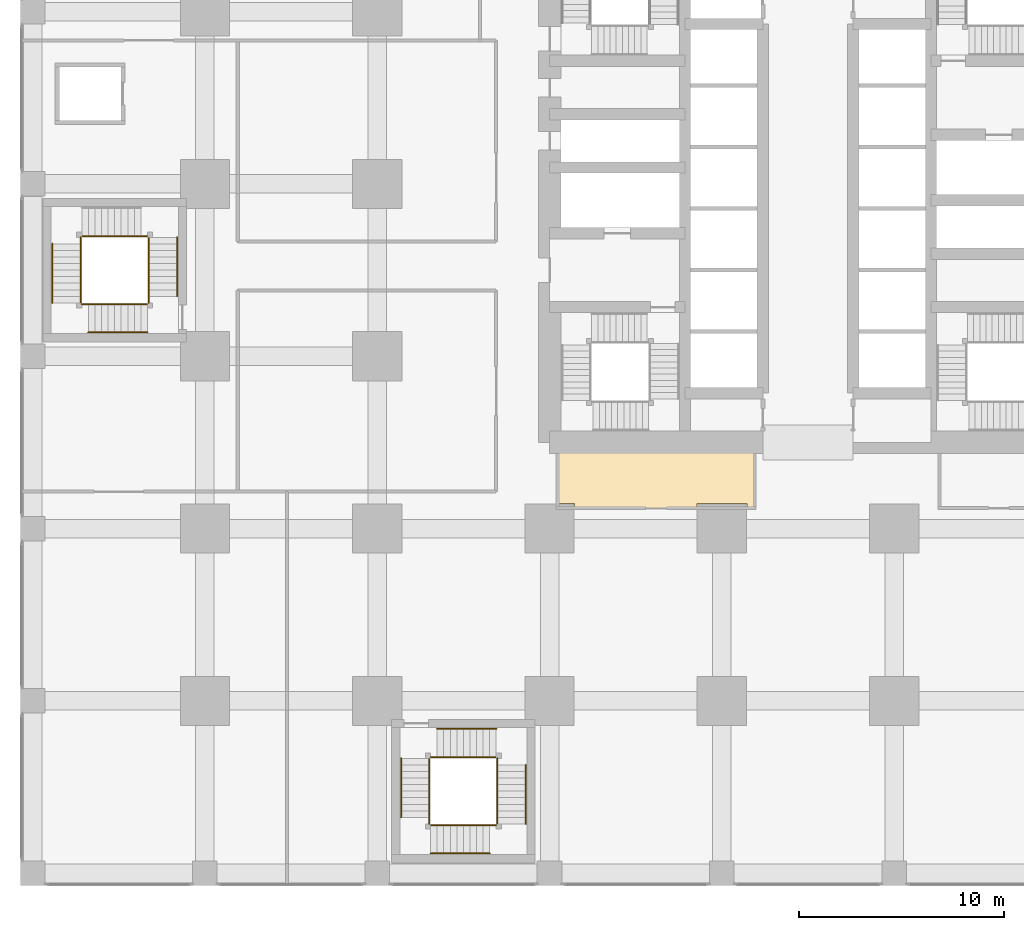
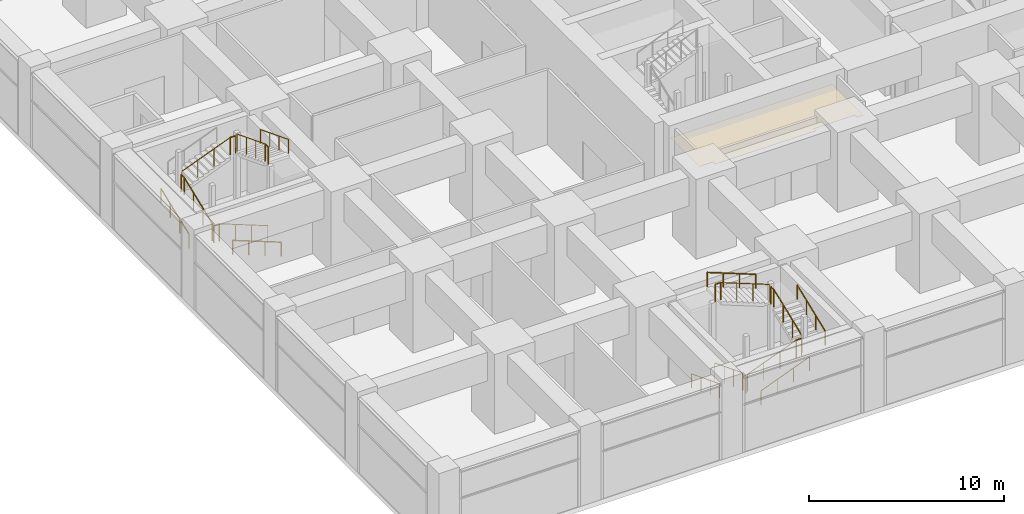
# One storey, part 41 of 49: 23 railings, 1 covering.
"""IFC4 building model written with IfcOpenShell, lengths in metres."""

import ifcopenshell
import ifcopenshell.guid

model = None  # the IFC model being written
_history = None  # IfcOwnerHistory: only IFC2X3 demands one
_inside = {}  # id of a spatial element -> (the spatial element, [elements in it])
_under = {}  # id of a project, library or spatial element -> (it, [spatial elements below it])
_declared = {}  # id of a project -> (the project, [libraries it declares])
_typed = {}  # id of a type object -> (the type object, [elements of that type])
_made_of = {}  # id of a material, layer set ... -> (it, [elements and type objects made of it])


def new_model(schema):
    """Start an empty IFC model of exactly this schema.

    Asked for "IFC4X3", IfcOpenShell would pick the latest addendum, in which some entities
    have other attributes; the version numbers below select the first issue.
    IFC2X3 requires an IfcOwnerHistory on every rooted entity: one is made here for all.
    """
    global model, _history
    if schema == "IFC4X3":
        model = ifcopenshell.file(schema_version=(4, 3, 0, 0))
    else:
        model = ifcopenshell.file(schema=schema)
    _inside.clear()
    _under.clear()
    _declared.clear()
    _typed.clear()
    _made_of.clear()
    _history = None
    if model.schema == "IFC2X3":
        org = make("IfcOrganization", Name="unknown")
        user = make(
            "IfcPersonAndOrganization",
            ThePerson=make("IfcPerson", FamilyName="unknown"),
            TheOrganization=org,
        )
        app = make(
            "IfcApplication",
            ApplicationDeveloper=org,
            Version="unknown",
            ApplicationFullName="unknown",
            ApplicationIdentifier="unknown",
        )
        _history = make(
            "IfcOwnerHistory",
            OwningUser=user,
            OwningApplication=app,
            ChangeAction="ADDED",
            CreationDate=0,
        )
    return model


def make(cls, **values):
    """One entity of the class cls with the attributes given. An attribute that is None is left unset."""
    return model.create_entity(
        cls, **{name: value for name, value in values.items() if value is not None}
    )


def rooted(cls, **values):
    """An entity with a GlobalId (a new one), such as an element, a storey or a relation."""
    return make(cls, GlobalId=ifcopenshell.guid.new(), OwnerHistory=_history, **values)


def si_unit(unit_type, name, prefix=None):
    """IfcSIUnit, for example si_unit("LENGTHUNIT", "METRE", prefix="MILLI")."""
    return make("IfcSIUnit", UnitType=unit_type, Prefix=prefix, Name=name)


def assignment(units):
    """IfcUnitAssignment: the units of a project."""
    return None if units is None else make("IfcUnitAssignment", Units=units)


def point(xyz):
    """IfcCartesianPoint."""
    return None if xyz is None else make("IfcCartesianPoint", Coordinates=xyz)


def direction(xyz):
    """IfcDirection."""
    return None if xyz is None else make("IfcDirection", DirectionRatios=xyz)


def frame(location, z_axis=None, x_axis=None):
    """IfcAxis2Placement3D, a coordinate frame: its origin and axes. An axis left out is left unset."""
    return make(
        "IfcAxis2Placement3D",
        Location=point(location),
        Axis=direction(z_axis),
        RefDirection=direction(x_axis),
    )


def frame_2d(location, x_axis=None):
    """IfcAxis2Placement2D, a coordinate frame in the plane: its origin and x axis."""
    return make(
        "IfcAxis2Placement2D", Location=point(location), RefDirection=direction(x_axis)
    )


def origin():
    """The frame at (0, 0, 0) with its axes left unset."""
    return frame((0.0, 0.0, 0.0))


def origin_2d():
    """The frame at (0, 0) in the plane with its x axis left unset."""
    return frame_2d((0.0, 0.0))


def place(relative_to, where):
    """IfcLocalPlacement: puts the frame where relative to a parent placement (None: the world)."""
    return make(
        "IfcLocalPlacement", PlacementRelTo=relative_to, RelativePlacement=where
    )


def context(
    kind, dimensions, precision=None, world=None, true_north=None, identifier=None
):
    """IfcGeometricRepresentationContext, for example the 3D "Model" context."""
    return make(
        "IfcGeometricRepresentationContext",
        ContextIdentifier=identifier,
        ContextType=kind,
        CoordinateSpaceDimension=dimensions,
        Precision=precision,
        WorldCoordinateSystem=world,
        TrueNorth=true_north,
    )


def subcontext(parent, identifier, kind, view, scale=None):
    """IfcGeometricRepresentationSubContext, for example "Body" below "Model"."""
    return make(
        "IfcGeometricRepresentationSubContext",
        ContextIdentifier=identifier,
        ContextType=kind,
        ParentContext=parent,
        TargetScale=scale,
        TargetView=view,
    )


def project(units=None, contexts=None):
    """IfcProject with its units and contexts."""
    return rooted(
        "IfcProject",
        Name="project",
        RepresentationContexts=contexts,
        UnitsInContext=assignment(units),
    )


def spatial(cls, under=None, at=None, **own):
    """A site, building, storey or space (cls), placed at a placement, below another one or the project."""
    s = rooted(cls, ObjectPlacement=at, **own)
    if under is not None:
        _under.setdefault(under.id(), (under, []))[1].append(s)
    return s


def polyline(points):
    """IfcPolyline through the points."""
    return make("IfcPolyline", Points=[point(p) for p in points])


def profile(cls, at=None, kind="AREA", **sizes):
    """A parametric profile (cls). Its sizes go by their IFC names, for example OverallWidth=200.0."""
    return make(cls, ProfileType=kind, Position=at, **sizes)


def circle(**sizes):
    """IfcCircleProfileDef."""
    return profile("IfcCircleProfileDef", **sizes)


def outline(outer, holes=None, kind="AREA"):
    """IfcArbitraryClosedProfileDef: a profile drawn as a closed curve; with holes, ...WithVoids."""
    if holes is None:
        return make("IfcArbitraryClosedProfileDef", ProfileType=kind, OuterCurve=outer)
    return make(
        "IfcArbitraryProfileDefWithVoids",
        ProfileType=kind,
        OuterCurve=outer,
        InnerCurves=holes,
    )


def extrude(swept, where, along, depth):
    """IfcExtrudedAreaSolid: the profile swept, set in the frame where, extruded along a direction by depth."""
    return make(
        "IfcExtrudedAreaSolid",
        SweptArea=swept,
        Position=where,
        ExtrudedDirection=direction(along),
        Depth=depth,
    )


def shape(context_of_items, identifier, shape_type, items):
    """IfcShapeRepresentation: the items that make up one representation, for example the "Body"."""
    return make(
        "IfcShapeRepresentation",
        ContextOfItems=context_of_items,
        RepresentationIdentifier=identifier,
        RepresentationType=shape_type,
        Items=items,
    )


def material(Name=None, Category=None):
    """IfcMaterial."""
    return make("IfcMaterial", Name=Name, Category=Category)


def layer(
    of_material, thickness, ventilated=None, Name=None, Category=None, Priority=None
):
    """IfcMaterialLayer: one layer of a wall or slab, of a material (None: an air gap)."""
    return make(
        "IfcMaterialLayer",
        Material=of_material,
        LayerThickness=thickness,
        IsVentilated=ventilated,
        Name=Name,
        Category=Category,
        Priority=Priority,
    )


def layer_set(layers, Name=None):
    """IfcMaterialLayerSet."""
    return make("IfcMaterialLayerSet", MaterialLayers=layers, LayerSetName=Name)


def made_of(thing, what):
    """Note that an element or type object is made of a material, layer set ...; save() writes the relation."""
    if what is not None:
        _made_of.setdefault(what.id(), (what, []))[1].append(thing)
    return thing


def type_object(cls, material=None, **own):
    """A type object (cls), such as IfcWallType, which elements share."""
    return made_of(rooted(cls, **own), material)


def element(
    cls,
    number,
    at=None,
    inside=None,
    cuts=None,
    type_object=None,
    material=None,
    context=None,
    identifier="Body",
    shape_type=None,
    held_by="IfcProductDefinitionShape",
    body=None,
    shapes=None,
    **own,
):
    """One element of the class cls, such as IfcWall. Its Tag is "e" and its number.

    at: its placement. inside: the storey or other place that contains it. cuts: it is an
    opening in that element (IfcRelVoidsElement). A single representation is given by context,
    identifier, shape_type and body (its items); several are given by shapes. held_by: the class
    of the entity that holds the representations. save() writes the other relations.
    """
    e = rooted(cls, Tag="e%d" % number, ObjectPlacement=at, **own)
    if body is not None:
        shapes = [shape(context, identifier, shape_type, body)]
    if shapes is not None:
        e.Representation = make(held_by, Representations=shapes)
    if inside is not None:
        _inside.setdefault(inside.id(), (inside, []))[1].append(e)
    if cuts is not None:
        rooted(
            "IfcRelVoidsElement", RelatingBuildingElement=cuts, RelatedOpeningElement=e
        )
    if type_object is not None:
        _typed.setdefault(type_object.id(), (type_object, []))[1].append(e)
    return made_of(e, material)


def aggregate(whole, parts):
    """IfcRelAggregates: a whole, such as a stair, and the parts it consists of."""
    return rooted("IfcRelAggregates", RelatingObject=whole, RelatedObjects=parts)


def save(model, path):
    """Write the relations noted so far, then the file.

    IfcRelAggregates (storeys below a building ...), IfcRelContainedInSpatialStructure (elements
    in a storey), IfcRelDefinesByType, IfcRelAssociatesMaterial and IfcRelDeclares: one each for
    every whole, place, type object, material and project.
    """
    for whole, parts in _under.values():
        aggregate(whole, parts)
    for where, things in _inside.values():
        rooted(
            "IfcRelContainedInSpatialStructure",
            RelatedElements=things,
            RelatingStructure=where,
        )
    for kind, things in _typed.values():
        rooted("IfcRelDefinesByType", RelatedObjects=things, RelatingType=kind)
    for what, things in _made_of.values():
        rooted("IfcRelAssociatesMaterial", RelatedObjects=things, RelatingMaterial=what)
    for by, libraries in _declared.values():
        rooted("IfcRelDeclares", RelatingContext=by, RelatedDefinitions=libraries)
    model.write(path)


model = new_model("IFC4")

# Units and contexts
model_context = context("Model", 3, precision=1e-05, world=origin(), true_north=direction((0.0, 1.0)))
body_context = subcontext(model_context, "Body", "Model", "MODEL_VIEW")
ifc_project = project(units=[si_unit("LENGTHUNIT", "METRE"), si_unit("AREAUNIT", "SQUARE_METRE"), si_unit("VOLUMEUNIT", "CUBIC_METRE"), si_unit("PLANEANGLEUNIT", "RADIAN"), si_unit("MASSUNIT", "GRAM", prefix="KILO")], contexts=[model_context])

# Site, building, storey
site_placement = place(None, origin())
site = spatial("IfcSite", under=ifc_project, at=site_placement, CompositionType="ELEMENT")
building_placement = place(site_placement, origin())
building = spatial("IfcBuilding", under=site, at=building_placement, Name="Rekha Terrace Tower", CompositionType="ELEMENT")
storey_placement = place(building_placement, frame((0.0, 0.0, 10.39990234375)))
storey = spatial("IfcBuildingStorey", under=building, at=storey_placement, Name="L02", CompositionType="ELEMENT", Elevation=10.39990234375)

# Covering
ifc_material_1 = material(Name="Fibre cement board", Category="finish")
ifc_layer = layer(ifc_material_1, 0.014892578125)
ifc_layer_set = layer_set([ifc_layer], Name="Fibre cement board")
covering_type = type_object("IfcCoveringType", Name="CL2 moisture-resistant board ceiling", PredefinedType="CEILING", material=ifc_layer_set)
covering_placement = place(storey_placement, frame((0.0, 0.0, 3.78515625)))
element("IfcCovering", 1, at=covering_placement, inside=storey, type_object=covering_type, Name="Ceiling L02-WCM", PredefinedType="CEILING", context=body_context, shape_type="SweptSolid", body=[
    extrude(outline(polyline([(35.199951171875, 21.0), (25.60009765625, 21.0), (25.60009765625, 18.014892578125), (26.4150390625, 18.014892578125), (26.4150390625, 17.800048828125), (32.385009765625, 17.800048828125), (32.385009765625, 18.014892578125), (34.81494140625, 18.014892578125), (34.81494140625, 17.800048828125), (35.199951171875, 17.800048828125), (35.199951171875, 21.0)])), origin(), (0.0, 0.0, 1.0), 0.014892578125),
])

# Railings
ifc_material_2 = material(Name="Stainless steel balustrade", Category="steel")
railing_type_1 = type_object("IfcRailingType", Name="GR1 1100 stair guard", PredefinedType="GUARDRAIL", material=ifc_material_2)
railing_1_placement = place(storey_placement, frame((5.60009765625, 27.739990234375, 0.125)))
element("IfcRailing", 2, at=railing_1_placement, inside=storey, type_object=railing_type_1, Name="Guard SP1 L02 flight 1", PredefinedType="GUARDRAIL", context=body_context, shape_type="SweptSolid", body=[
    extrude(circle(Radius=0.02392578125, at=origin_2d()), frame((0.0, 0.0, 1.076171875), z_axis=(-0.931462784923, 0.0, 0.363836612098), x_axis=(0.0, -1.0, 0.0)), (0.0, 0.0, 1.0), 3.092041015625),
    extrude(circle(Radius=0.02099609375, at=origin_2d()), origin(), (0.0, 0.0, 1.0), 1.052001953125),
    extrude(circle(Radius=0.02099609375, at=origin_2d()), frame((-0.9599609375, 0.0, 0.375)), (0.0, 0.0, 1.0), 1.052001953125),
    extrude(circle(Radius=0.02099609375, at=origin_2d()), frame((-1.920166015625, 0.0, 0.75)), (0.0, 0.0, 1.0), 1.052001953125),
    extrude(circle(Radius=0.02099609375, at=origin_2d()), frame((-2.880126953125, 0.0, 1.125)), (0.0, 0.0, 1.0), 1.052001953125),
])
railing_2_placement = place(storey_placement, frame((2.340087890625, 27.800048828125, 1.375)))
element("IfcRailing", 3, at=railing_2_placement, inside=storey, type_object=railing_type_1, Name="Guard SP1 L02 flight 2", PredefinedType="GUARDRAIL", context=body_context, shape_type="SweptSolid", body=[
    extrude(circle(Radius=0.02392578125, at=origin_2d()), frame((0.0, 0.0, 1.076171875), z_axis=(0.0, 0.931452331594, 0.363863372667), x_axis=(-1.0, 0.0, 0.0)), (0.0, 0.0, 1.0), 3.091796875),
    extrude(circle(Radius=0.02099609375, at=origin_2d()), origin(), (0.0, 0.0, 1.0), 1.052001953125),
    extrude(circle(Radius=0.02099609375, at=origin_2d()), frame((0.0, 0.9599609375, 0.375)), (0.0, 0.0, 1.0), 1.052001953125),
    extrude(circle(Radius=0.02099609375, at=origin_2d()), frame((0.0, 1.919921875, 0.75)), (0.0, 0.0, 1.0), 1.052001953125),
    extrude(circle(Radius=0.02099609375, at=origin_2d()), frame((0.0, 2.8798828125, 1.125)), (0.0, 0.0, 1.0), 1.052001953125),
])
railing_3_placement = place(storey_placement, frame((2.39990234375, 31.06005859375, 2.625)))
element("IfcRailing", 4, at=railing_3_placement, inside=storey, type_object=railing_type_1, Name="Guard SP1 L02 flight 3", PredefinedType="GUARDRAIL", context=body_context, shape_type="SweptSolid", body=[
    extrude(circle(Radius=0.02392578125, at=origin_2d()), frame((0.0, 0.0, 1.076171875), z_axis=(0.931462784923, 0.0, 0.363836612098), x_axis=(0.0, 1.0, 0.0)), (0.0, 0.0, 1.0), 3.092041015625),
    extrude(circle(Radius=0.02099609375, at=origin_2d()), origin(), (0.0, 0.0, 1.0), 1.052001953125),
    extrude(circle(Radius=0.02099609375, at=origin_2d()), frame((0.9599609375, 0.0, 0.375)), (0.0, 0.0, 1.0), 1.052001953125),
    extrude(circle(Radius=0.02099609375, at=origin_2d()), frame((1.920166015625, 0.0, 0.75)), (0.0, 0.0, 1.0), 1.052001953125),
    extrude(circle(Radius=0.02099609375, at=origin_2d()), frame((2.880126953125, 0.0, 1.125)), (0.0, 0.0, 1.0), 1.052001953125),
])
railing_4_placement = place(storey_placement, frame((5.659912109375, 31.0, 3.875)))
element("IfcRailing", 5, at=railing_4_placement, inside=storey, type_object=railing_type_1, Name="Guard SP1 L02 flight 4", PredefinedType="GUARDRAIL", context=body_context, shape_type="SweptSolid", body=[
    extrude(circle(Radius=0.02392578125, at=origin_2d()), frame((0.0, 0.0, 1.076171875), z_axis=(0.0, -0.931452331594, 0.363863372667), x_axis=(1.0, 0.0, 0.0)), (0.0, 0.0, 1.0), 3.091796875),
    extrude(circle(Radius=0.02099609375, at=origin_2d()), origin(), (0.0, 0.0, 1.0), 1.052001953125),
    extrude(circle(Radius=0.02099609375, at=origin_2d()), frame((0.0, -0.9599609375, 0.375)), (0.0, 0.0, 1.0), 1.052001953125),
    extrude(circle(Radius=0.02099609375, at=origin_2d()), frame((0.0, -1.919921875, 0.75)), (0.0, 0.0, 1.0), 1.052001953125),
    extrude(circle(Radius=0.02099609375, at=origin_2d()), frame((0.0, -2.8798828125, 1.125)), (0.0, 0.0, 1.0), 1.052001953125),
])
railing_5_placement = place(storey_placement, frame((2.719970703125, 27.739990234375, 1.25)))
element("IfcRailing", 6, at=railing_5_placement, inside=storey, type_object=railing_type_1, Name="Guard SP1 L02 landing 1", PredefinedType="GUARDRAIL", context=body_context, shape_type="SweptSolid", body=[
    extrude(circle(Radius=0.02392578125, at=origin_2d()), frame((0.0, 0.0, 1.076171875), z_axis=(-1.0, 0.0, 0.0), x_axis=(0.0, -1.0, 0.0)), (0.0, 0.0, 1.0), 0.320068359375),
    extrude(circle(Radius=0.02099609375, at=origin_2d()), origin(), (0.0, 0.0, 1.0), 1.052001953125),
    extrude(circle(Radius=0.02099609375, at=origin_2d()), frame((-0.320068359375, 0.0, 0.0)), (0.0, 0.0, 1.0), 1.052001953125),
])
railing_6_placement = place(storey_placement, frame((2.340087890625, 30.679931640625, 2.5)))
element("IfcRailing", 7, at=railing_6_placement, inside=storey, type_object=railing_type_1, Name="Guard SP1 L02 landing 2", PredefinedType="GUARDRAIL", context=body_context, shape_type="SweptSolid", body=[
    extrude(circle(Radius=0.02392578125, at=origin_2d()), frame((0.0, 0.0, 1.076171875), z_axis=(0.0, 1.0, 0.0), x_axis=(-1.0, 0.0, 0.0)), (0.0, 0.0, 1.0), 0.320068359375),
    extrude(circle(Radius=0.02099609375, at=origin_2d()), origin(), (0.0, 0.0, 1.0), 1.052001953125),
    extrude(circle(Radius=0.02099609375, at=origin_2d()), frame((0.0, 0.320068359375, 0.0)), (0.0, 0.0, 1.0), 1.052001953125),
])
railing_7_placement = place(storey_placement, frame((5.60009765625, 31.06005859375, 3.75)))
element("IfcRailing", 8, at=railing_7_placement, inside=storey, type_object=railing_type_1, Name="Guard SP1 L02 landing 3", PredefinedType="GUARDRAIL", context=body_context, shape_type="SweptSolid", body=[
    extrude(circle(Radius=0.02392578125, at=origin_2d()), frame((0.0, 0.0, 1.076171875), z_axis=(-1.0, 0.0, 0.0), x_axis=(0.0, -1.0, 0.0)), (0.0, 0.0, 1.0), 0.320068359375),
    extrude(circle(Radius=0.02099609375, at=origin_2d()), origin(), (0.0, 0.0, 1.0), 1.052001953125),
    extrude(circle(Radius=0.02099609375, at=origin_2d()), frame((-0.320068359375, 0.0, 0.0)), (0.0, 0.0, 1.0), 1.052001953125),
])
railing_8_placement = place(storey_placement, frame((5.659912109375, 27.800048828125, 5.0)))
element("IfcRailing", 9, at=railing_8_placement, inside=storey, type_object=railing_type_1, Name="Guard SP1 L02 landing 4", PredefinedType="GUARDRAIL", context=body_context, shape_type="SweptSolid", body=[
    extrude(circle(Radius=0.02392578125, at=origin_2d()), frame((0.0, 0.0, 1.076171875), z_axis=(0.0, 1.0, 0.0), x_axis=(-1.0, 0.0, 0.0)), (0.0, 0.0, 1.0), 0.320068359375),
    extrude(circle(Radius=0.02099609375, at=origin_2d()), origin(), (0.0, 0.0, 1.0), 1.052001953125),
    extrude(circle(Radius=0.02099609375, at=origin_2d()), frame((0.0, 0.320068359375, 0.0)), (0.0, 0.0, 1.0), 1.052001953125),
])
railing_9_placement = place(storey_placement, frame((19.340087890625, 5.60009765625, 0.125)))
element("IfcRailing", 10, at=railing_9_placement, inside=storey, type_object=railing_type_1, Name="Guard SP3 L02 flight 1", PredefinedType="GUARDRAIL", context=body_context, shape_type="SweptSolid", body=[
    extrude(circle(Radius=0.02392578125, at=origin_2d()), frame((0.0, 0.0, 1.076171875), z_axis=(0.0, -0.931462784923, 0.363836612098), x_axis=(1.0, 0.0, 0.0)), (0.0, 0.0, 1.0), 3.092041015625),
    extrude(circle(Radius=0.02099609375, at=origin_2d()), origin(), (0.0, 0.0, 1.0), 1.052001953125),
    extrude(circle(Radius=0.02099609375, at=origin_2d()), frame((0.0, -0.9599609375, 0.375)), (0.0, 0.0, 1.0), 1.052001953125),
    extrude(circle(Radius=0.02099609375, at=origin_2d()), frame((0.0, -1.920166015625, 0.75)), (0.0, 0.0, 1.0), 1.052001953125),
    extrude(circle(Radius=0.02099609375, at=origin_2d()), frame((0.0, -2.880126953125, 1.125)), (0.0, 0.0, 1.0), 1.052001953125),
])
railing_10_placement = place(storey_placement, frame((19.39990234375, 2.340087890625, 1.375)))
element("IfcRailing", 11, at=railing_10_placement, inside=storey, type_object=railing_type_1, Name="Guard SP3 L02 flight 2", PredefinedType="GUARDRAIL", context=body_context, shape_type="SweptSolid", body=[
    extrude(circle(Radius=0.02392578125, at=origin_2d()), frame((0.0, 0.0, 1.076171875), z_axis=(0.931462784923, 0.0, 0.363836612098), x_axis=(0.0, 1.0, 0.0)), (0.0, 0.0, 1.0), 3.092041015625),
    extrude(circle(Radius=0.02099609375, at=origin_2d()), origin(), (0.0, 0.0, 1.0), 1.052001953125),
    extrude(circle(Radius=0.02099609375, at=origin_2d()), frame((0.9599609375, 0.0, 0.375)), (0.0, 0.0, 1.0), 1.052001953125),
    extrude(circle(Radius=0.02099609375, at=origin_2d()), frame((1.920166015625, 0.0, 0.75)), (0.0, 0.0, 1.0), 1.052001953125),
    extrude(circle(Radius=0.02099609375, at=origin_2d()), frame((2.880126953125, 0.0, 1.125)), (0.0, 0.0, 1.0), 1.052001953125),
])
railing_11_placement = place(storey_placement, frame((22.659912109375, 2.39990234375, 2.625)))
element("IfcRailing", 12, at=railing_11_placement, inside=storey, type_object=railing_type_1, Name="Guard SP3 L02 flight 3", PredefinedType="GUARDRAIL", context=body_context, shape_type="SweptSolid", body=[
    extrude(circle(Radius=0.02392578125, at=origin_2d()), frame((0.0, 0.0, 1.076171875), z_axis=(0.0, 0.931462784923, 0.363836612098), x_axis=(-1.0, 0.0, 0.0)), (0.0, 0.0, 1.0), 3.092041015625),
    extrude(circle(Radius=0.02099609375, at=origin_2d()), origin(), (0.0, 0.0, 1.0), 1.052001953125),
    extrude(circle(Radius=0.02099609375, at=origin_2d()), frame((0.0, 0.9599609375, 0.375)), (0.0, 0.0, 1.0), 1.052001953125),
    extrude(circle(Radius=0.02099609375, at=origin_2d()), frame((0.0, 1.920166015625, 0.75)), (0.0, 0.0, 1.0), 1.052001953125),
    extrude(circle(Radius=0.02099609375, at=origin_2d()), frame((0.0, 2.880126953125, 1.125)), (0.0, 0.0, 1.0), 1.052001953125),
])
railing_12_placement = place(storey_placement, frame((22.60009765625, 5.659912109375, 3.875)))
element("IfcRailing", 13, at=railing_12_placement, inside=storey, type_object=railing_type_1, Name="Guard SP3 L02 flight 4", PredefinedType="GUARDRAIL", context=body_context, shape_type="SweptSolid", body=[
    extrude(circle(Radius=0.02392578125, at=origin_2d()), frame((0.0, 0.0, 1.076171875), z_axis=(-0.931462784923, 0.0, 0.363836612098), x_axis=(0.0, -1.0, 0.0)), (0.0, 0.0, 1.0), 3.092041015625),
    extrude(circle(Radius=0.02099609375, at=origin_2d()), origin(), (0.0, 0.0, 1.0), 1.052001953125),
    extrude(circle(Radius=0.02099609375, at=origin_2d()), frame((-0.9599609375, 0.0, 0.375)), (0.0, 0.0, 1.0), 1.052001953125),
    extrude(circle(Radius=0.02099609375, at=origin_2d()), frame((-1.920166015625, 0.0, 0.75)), (0.0, 0.0, 1.0), 1.052001953125),
    extrude(circle(Radius=0.02099609375, at=origin_2d()), frame((-2.880126953125, 0.0, 1.125)), (0.0, 0.0, 1.0), 1.052001953125),
])
railing_13_placement = place(storey_placement, frame((19.340087890625, 2.719970703125, 1.25)))
element("IfcRailing", 14, at=railing_13_placement, inside=storey, type_object=railing_type_1, Name="Guard SP3 L02 landing 1", PredefinedType="GUARDRAIL", context=body_context, shape_type="SweptSolid", body=[
    extrude(circle(Radius=0.02392578125, at=origin_2d()), frame((0.0, 0.0, 1.076171875), z_axis=(0.0, -1.0, 0.0), x_axis=(1.0, 0.0, 0.0)), (0.0, 0.0, 1.0), 0.320068359375),
    extrude(circle(Radius=0.02099609375, at=origin_2d()), origin(), (0.0, 0.0, 1.0), 1.052001953125),
    extrude(circle(Radius=0.02099609375, at=origin_2d()), frame((0.0, -0.320068359375, 0.0)), (0.0, 0.0, 1.0), 1.052001953125),
])
railing_14_placement = place(storey_placement, frame((22.280029296875, 2.340087890625, 2.5)))
element("IfcRailing", 15, at=railing_14_placement, inside=storey, type_object=railing_type_1, Name="Guard SP3 L02 landing 2", PredefinedType="GUARDRAIL", context=body_context, shape_type="SweptSolid", body=[
    extrude(circle(Radius=0.02392578125, at=origin_2d()), frame((0.0, 0.0, 1.076171875), z_axis=(1.0, 0.0, 0.0), x_axis=(0.0, 1.0, 0.0)), (0.0, 0.0, 1.0), 0.320068359375),
    extrude(circle(Radius=0.02099609375, at=origin_2d()), origin(), (0.0, 0.0, 1.0), 1.052001953125),
    extrude(circle(Radius=0.02099609375, at=origin_2d()), frame((0.320068359375, 0.0, 0.0)), (0.0, 0.0, 1.0), 1.052001953125),
])
railing_15_placement = place(storey_placement, frame((22.659912109375, 5.60009765625, 3.75)))
element("IfcRailing", 16, at=railing_15_placement, inside=storey, type_object=railing_type_1, Name="Guard SP3 L02 landing 3", PredefinedType="GUARDRAIL", context=body_context, shape_type="SweptSolid", body=[
    extrude(circle(Radius=0.02392578125, at=origin_2d()), frame((0.0, 0.0, 1.076171875), z_axis=(0.0, -1.0, 0.0), x_axis=(1.0, 0.0, 0.0)), (0.0, 0.0, 1.0), 0.320068359375),
    extrude(circle(Radius=0.02099609375, at=origin_2d()), origin(), (0.0, 0.0, 1.0), 1.052001953125),
    extrude(circle(Radius=0.02099609375, at=origin_2d()), frame((0.0, -0.320068359375, 0.0)), (0.0, 0.0, 1.0), 1.052001953125),
])
railing_16_placement = place(storey_placement, frame((19.39990234375, 5.659912109375, 5.0)))
element("IfcRailing", 17, at=railing_16_placement, inside=storey, type_object=railing_type_1, Name="Guard SP3 L02 landing 4", PredefinedType="GUARDRAIL", context=body_context, shape_type="SweptSolid", body=[
    extrude(circle(Radius=0.02392578125, at=origin_2d()), frame((0.0, 0.0, 1.076171875), z_axis=(1.0, 0.0, 0.0), x_axis=(0.0, 1.0, 0.0)), (0.0, 0.0, 1.0), 0.320068359375),
    extrude(circle(Radius=0.02099609375, at=origin_2d()), origin(), (0.0, 0.0, 1.0), 1.052001953125),
    extrude(circle(Radius=0.02099609375, at=origin_2d()), frame((0.320068359375, 0.0, 0.0)), (0.0, 0.0, 1.0), 1.052001953125),
])
ifc_material_3 = material(Name="Stainless steel tube", Category="steel")
railing_type_2 = type_object("IfcRailingType", Name="HR1 900 stair handrail", PredefinedType="HANDRAIL", material=ifc_material_3)
railing_17_placement = place(storey_placement, frame((5.60009765625, 26.360107421875, 0.125)))
element("IfcRailing", 18, at=railing_17_placement, inside=storey, type_object=railing_type_2, Name="Handrail SP1 L02 flight 1", PredefinedType="HANDRAIL", context=body_context, shape_type="SweptSolid", body=[
    extrude(circle(Radius=0.02392578125, at=origin_2d()), frame((0.0, 0.0, 0.8759765625), z_axis=(-0.931462784923, 0.0, 0.363836612098), x_axis=(0.0, -1.0, 0.0)), (0.0, 0.0, 1.0), 3.092041015625),
    extrude(circle(Radius=0.02099609375, at=origin_2d()), origin(), (0.0, 0.0, 1.0), 0.851806640625),
    extrude(circle(Radius=0.02099609375, at=origin_2d()), frame((-0.9599609375, 0.0, 0.375)), (0.0, 0.0, 1.0), 0.851806640625),
    extrude(circle(Radius=0.02099609375, at=origin_2d()), frame((-1.920166015625, 0.0, 0.75)), (0.0, 0.0, 1.0), 0.851806640625),
    extrude(circle(Radius=0.02099609375, at=origin_2d()), frame((-2.880126953125, 0.0, 1.125)), (0.0, 0.0, 1.0), 0.851806640625),
])
railing_18_placement = place(storey_placement, frame((0.9599609375, 27.800048828125, 1.375)))
element("IfcRailing", 19, at=railing_18_placement, inside=storey, type_object=railing_type_2, Name="Handrail SP1 L02 flight 2", PredefinedType="HANDRAIL", context=body_context, shape_type="SweptSolid", body=[
    extrude(circle(Radius=0.02392578125, at=origin_2d()), frame((0.0, 0.0, 0.8759765625), z_axis=(0.0, 0.931452331594, 0.363863372667), x_axis=(-1.0, 0.0, 0.0)), (0.0, 0.0, 1.0), 3.091796875),
    extrude(circle(Radius=0.02099609375, at=origin_2d()), origin(), (0.0, 0.0, 1.0), 0.851806640625),
    extrude(circle(Radius=0.02099609375, at=origin_2d()), frame((0.0, 0.9599609375, 0.375)), (0.0, 0.0, 1.0), 0.851806640625),
    extrude(circle(Radius=0.02099609375, at=origin_2d()), frame((0.0, 1.919921875, 0.75)), (0.0, 0.0, 1.0), 0.851806640625),
    extrude(circle(Radius=0.02099609375, at=origin_2d()), frame((0.0, 2.8798828125, 1.125)), (0.0, 0.0, 1.0), 0.851806640625),
])
railing_19_placement = place(storey_placement, frame((7.0400390625, 31.0, 3.875)))
element("IfcRailing", 20, at=railing_19_placement, inside=storey, type_object=railing_type_2, Name="Handrail SP1 L02 flight 4", PredefinedType="HANDRAIL", context=body_context, shape_type="SweptSolid", body=[
    extrude(circle(Radius=0.02392578125, at=origin_2d()), frame((0.0, 0.0, 0.8759765625), z_axis=(0.0, -0.931452331594, 0.363863372667), x_axis=(1.0, 0.0, 0.0)), (0.0, 0.0, 1.0), 3.091796875),
    extrude(circle(Radius=0.02099609375, at=origin_2d()), origin(), (0.0, 0.0, 1.0), 0.851806640625),
    extrude(circle(Radius=0.02099609375, at=origin_2d()), frame((0.0, -0.9599609375, 0.375)), (0.0, 0.0, 1.0), 0.851806640625),
    extrude(circle(Radius=0.02099609375, at=origin_2d()), frame((0.0, -1.919921875, 0.75)), (0.0, 0.0, 1.0), 0.851806640625),
    extrude(circle(Radius=0.02099609375, at=origin_2d()), frame((0.0, -2.8798828125, 1.125)), (0.0, 0.0, 1.0), 0.851806640625),
])
railing_20_placement = place(storey_placement, frame((17.9599609375, 5.60009765625, 0.125)))
element("IfcRailing", 21, at=railing_20_placement, inside=storey, type_object=railing_type_2, Name="Handrail SP3 L02 flight 1", PredefinedType="HANDRAIL", context=body_context, shape_type="SweptSolid", body=[
    extrude(circle(Radius=0.02392578125, at=origin_2d()), frame((0.0, 0.0, 0.8759765625), z_axis=(0.0, -0.931462784923, 0.363836612098), x_axis=(1.0, 0.0, 0.0)), (0.0, 0.0, 1.0), 3.092041015625),
    extrude(circle(Radius=0.02099609375, at=origin_2d()), origin(), (0.0, 0.0, 1.0), 0.851806640625),
    extrude(circle(Radius=0.02099609375, at=origin_2d()), frame((0.0, -0.9599609375, 0.375)), (0.0, 0.0, 1.0), 0.851806640625),
    extrude(circle(Radius=0.02099609375, at=origin_2d()), frame((0.0, -1.920166015625, 0.75)), (0.0, 0.0, 1.0), 0.851806640625),
    extrude(circle(Radius=0.02099609375, at=origin_2d()), frame((0.0, -2.880126953125, 1.125)), (0.0, 0.0, 1.0), 0.851806640625),
])
railing_21_placement = place(storey_placement, frame((19.39990234375, 0.9599609375, 1.375)))
element("IfcRailing", 22, at=railing_21_placement, inside=storey, type_object=railing_type_2, Name="Handrail SP3 L02 flight 2", PredefinedType="HANDRAIL", context=body_context, shape_type="SweptSolid", body=[
    extrude(circle(Radius=0.02392578125, at=origin_2d()), frame((0.0, 0.0, 0.8759765625), z_axis=(0.931462784923, 0.0, 0.363836612098), x_axis=(0.0, 1.0, 0.0)), (0.0, 0.0, 1.0), 3.092041015625),
    extrude(circle(Radius=0.02099609375, at=origin_2d()), origin(), (0.0, 0.0, 1.0), 0.851806640625),
    extrude(circle(Radius=0.02099609375, at=origin_2d()), frame((0.9599609375, 0.0, 0.375)), (0.0, 0.0, 1.0), 0.851806640625),
    extrude(circle(Radius=0.02099609375, at=origin_2d()), frame((1.920166015625, 0.0, 0.75)), (0.0, 0.0, 1.0), 0.851806640625),
    extrude(circle(Radius=0.02099609375, at=origin_2d()), frame((2.880126953125, 0.0, 1.125)), (0.0, 0.0, 1.0), 0.851806640625),
])
railing_22_placement = place(storey_placement, frame((24.0400390625, 2.39990234375, 2.625)))
element("IfcRailing", 23, at=railing_22_placement, inside=storey, type_object=railing_type_2, Name="Handrail SP3 L02 flight 3", PredefinedType="HANDRAIL", context=body_context, shape_type="SweptSolid", body=[
    extrude(circle(Radius=0.02392578125, at=origin_2d()), frame((0.0, 0.0, 0.8759765625), z_axis=(0.0, 0.931462784923, 0.363836612098), x_axis=(-1.0, 0.0, 0.0)), (0.0, 0.0, 1.0), 3.092041015625),
    extrude(circle(Radius=0.02099609375, at=origin_2d()), origin(), (0.0, 0.0, 1.0), 0.851806640625),
    extrude(circle(Radius=0.02099609375, at=origin_2d()), frame((0.0, 0.9599609375, 0.375)), (0.0, 0.0, 1.0), 0.851806640625),
    extrude(circle(Radius=0.02099609375, at=origin_2d()), frame((0.0, 1.920166015625, 0.75)), (0.0, 0.0, 1.0), 0.851806640625),
    extrude(circle(Radius=0.02099609375, at=origin_2d()), frame((0.0, 2.880126953125, 1.125)), (0.0, 0.0, 1.0), 0.851806640625),
])
railing_23_placement = place(storey_placement, frame((22.60009765625, 7.0400390625, 3.875)))
element("IfcRailing", 24, at=railing_23_placement, inside=storey, type_object=railing_type_2, Name="Handrail SP3 L02 flight 4", PredefinedType="HANDRAIL", context=body_context, shape_type="SweptSolid", body=[
    extrude(circle(Radius=0.02392578125, at=origin_2d()), frame((0.0, 0.0, 0.8759765625), z_axis=(-0.931462784923, 0.0, 0.363836612098), x_axis=(0.0, -1.0, 0.0)), (0.0, 0.0, 1.0), 3.092041015625),
    extrude(circle(Radius=0.02099609375, at=origin_2d()), origin(), (0.0, 0.0, 1.0), 0.851806640625),
    extrude(circle(Radius=0.02099609375, at=origin_2d()), frame((-0.9599609375, 0.0, 0.375)), (0.0, 0.0, 1.0), 0.851806640625),
    extrude(circle(Radius=0.02099609375, at=origin_2d()), frame((-1.920166015625, 0.0, 0.75)), (0.0, 0.0, 1.0), 0.851806640625),
    extrude(circle(Radius=0.02099609375, at=origin_2d()), frame((-2.880126953125, 0.0, 1.125)), (0.0, 0.0, 1.0), 0.851806640625),
])

save(model, "model.ifc")
